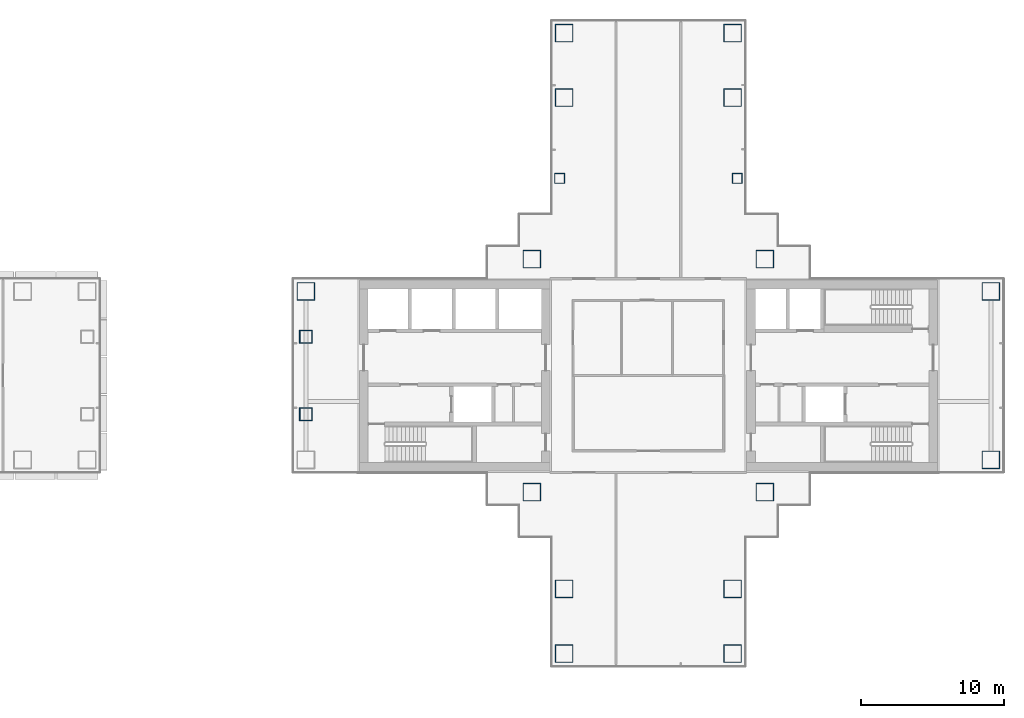
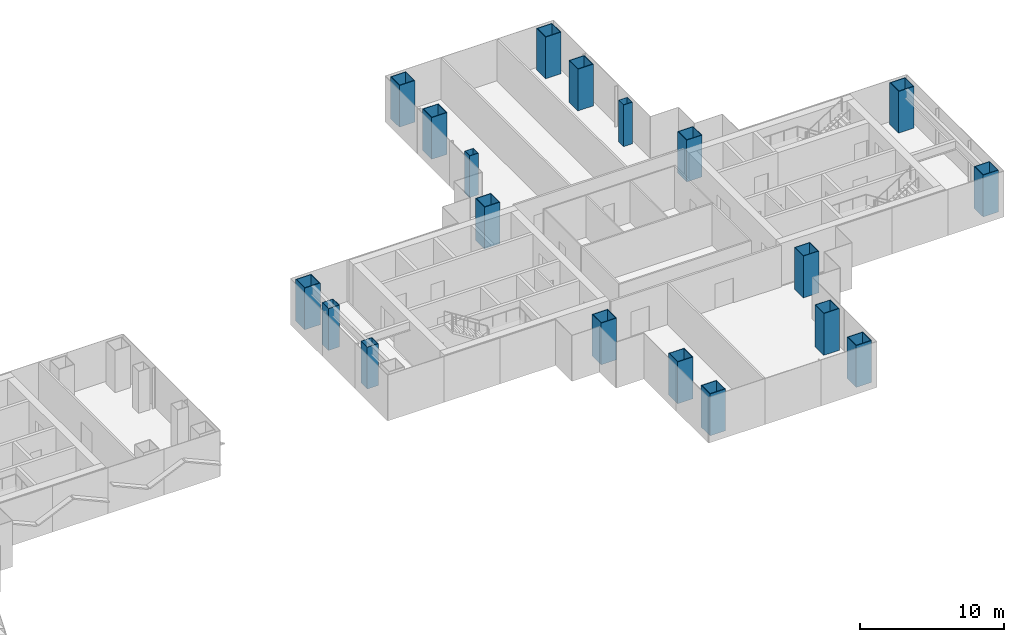
# One storey, part 2 of 18: 19 columns.
"""IFC4 building model written with IfcOpenShell, lengths in metres."""

from ifc_helpers import new_model, si_unit, direction, frame, origin, origin_2d, place, context, subcontext, project, spatial, hollow_rectangle, extrude, material, material_profile, profile_set, type_object, element, save


model = new_model("IFC4")

# Units and contexts
model_context = context("Model", 3, precision=1e-05, world=origin(), true_north=direction((0.0, 1.0)))
body_context = subcontext(model_context, "Body", "Model", "MODEL_VIEW")
ifc_project = project(units=[si_unit("LENGTHUNIT", "METRE"), si_unit("AREAUNIT", "SQUARE_METRE"), si_unit("VOLUMEUNIT", "CUBIC_METRE"), si_unit("PLANEANGLEUNIT", "RADIAN"), si_unit("MASSUNIT", "GRAM", prefix="KILO")], contexts=[model_context])

# Site, building, storey
site_placement = place(None, origin())
site = spatial("IfcSite", under=ifc_project, at=site_placement, CompositionType="ELEMENT")
building_placement = place(site_placement, origin())
building = spatial("IfcBuilding", under=site, at=building_placement, Name="Shamsa Quay Exchange Towers", CompositionType="ELEMENT")
storey_placement = place(building_placement, frame((0.0, 0.0, 113.10009765625)))
storey = spatial("IfcBuildingStorey", under=building, at=storey_placement, Name="L26", CompositionType="ELEMENT", Elevation=113.10009765625)

# Columns
ifc_material_1 = material(Name="Concrete-filled steel tube S355 / C80/95", Category="concrete")
ifc_material_profile_1 = material_profile(ifc_material_1, hollow_rectangle(XDim=1.25, YDim=1.25, WallThickness=0.050048828125, at=origin_2d()), Name="CFT 1250x1250x50")
ifc_profile_set_1 = profile_set([ifc_material_profile_1], Name="Concrete-filled steel tube S355 / C80/95")
column_type_1 = type_object("IfcColumnType", Name="Column CFT 1250x1250x50", PredefinedType="COLUMN", material=ifc_profile_set_1)
for number, where, name in (
    (1, (25.625, 8.125, 0.0), "Mega column T2-CM01"),
    (2, (41.875, 8.125, 0.0), "Mega column T2-CM02"),
    (3, (25.625, -8.125, 0.0), "Mega column T2-CM03"),
    (4, (41.875, -8.125, 0.0), "Mega column T2-CM04"),
    (5, (39.625, 19.375, 0.0), "Mega column T2-CM06"),
    (6, (39.625, 23.875, 0.0), "Mega column T2-CM07"),
    (7, (27.875, 19.375, 0.0), "Mega column T2-CM10"),
    (8, (27.875, 23.875, 0.0), "Mega column T2-CM11"),
    (9, (39.625, -14.875, 0.0), "Mega column T2-CM13"),
    (10, (39.625, -19.375, 0.0), "Mega column T2-CM14"),
    (11, (27.875, -14.875, 0.0), "Mega column T2-CM16"),
    (12, (27.875, -19.375, 0.0), "Mega column T2-CM17"),
    (13, (9.875, 5.875, 0.0), "Mega column T2-CM20"),
    (14, (57.625, -5.875, 0.0), "Mega column T2-CM21"),
    (15, (57.625, 5.875, 0.0), "Mega column T2-CM23"),
):
    element("IfcColumn", number, at=place(storey_placement, frame(where)), inside=storey, type_object=column_type_1, Name=name, PredefinedType="COLUMN", context=body_context, shape_type="SweptSolid", body=[
        extrude(hollow_rectangle(XDim=1.25, YDim=1.25, WallThickness=0.050048828125, at=origin_2d()), origin(), (0.0, 0.0, 1.0), 3.5498046875),
    ])
ifc_material_2 = material(Name="Concrete-filled steel tube S355 / C60/75", Category="concrete")
ifc_material_profile_2 = material_profile(ifc_material_2, hollow_rectangle(XDim=0.699951171875, YDim=0.699951171875, WallThickness=0.02490234375, at=origin_2d()), Name="CFT 700x700x25")
ifc_profile_set_2 = profile_set([ifc_material_profile_2], Name="Concrete-filled steel tube S355 / C60/75")
column_type_2 = type_object("IfcColumnType", Name="Column CFT 700x700x25", PredefinedType="COLUMN", material=ifc_profile_set_2)
for number, where, name in (
    (16, (39.9375, 13.75, 0.0), "Perimeter column T2-CP05"),
    (17, (27.5625, 13.75, 0.0), "Perimeter column T2-CP09"),
):
    element("IfcColumn", number, at=place(storey_placement, frame(where)), inside=storey, type_object=column_type_2, Name=name, PredefinedType="COLUMN", context=body_context, shape_type="SweptSolid", body=[
        extrude(hollow_rectangle(XDim=0.699951171875, YDim=0.699951171875, WallThickness=0.02490234375, at=origin_2d()), origin(), (0.0, 0.0, 1.0), 3.5498046875),
    ])
ifc_material_3 = material(Name="Concrete-filled steel tube S355 / C70/85", Category="concrete")
ifc_material_profile_3 = material_profile(ifc_material_3, hollow_rectangle(XDim=0.89990234375, YDim=0.89990234375, WallThickness=0.035888671875, at=origin_2d()), Name="CFT 900x900x36")
ifc_profile_set_3 = profile_set([ifc_material_profile_3], Name="Concrete-filled steel tube S355 / C70/85")
column_type_3 = type_object("IfcColumnType", Name="Landing column CFT 900x900x36", PredefinedType="COLUMN", material=ifc_profile_set_3)
for number, where, name in (
    (18, (9.875, -2.699951171875, 0.0), "Landing column T2 S"),
    (19, (9.875, 2.699951171875, 0.0), "Landing column T2 N"),
):
    element("IfcColumn", number, at=place(storey_placement, frame(where)), inside=storey, type_object=column_type_3, Name=name, PredefinedType="COLUMN", context=body_context, shape_type="SweptSolid", body=[
        extrude(hollow_rectangle(XDim=0.89990234375, YDim=0.89990234375, WallThickness=0.035888671875, at=origin_2d()), origin(), (0.0, 0.0, 1.0), 3.5498046875),
    ])

save(model, "model.ifc")
